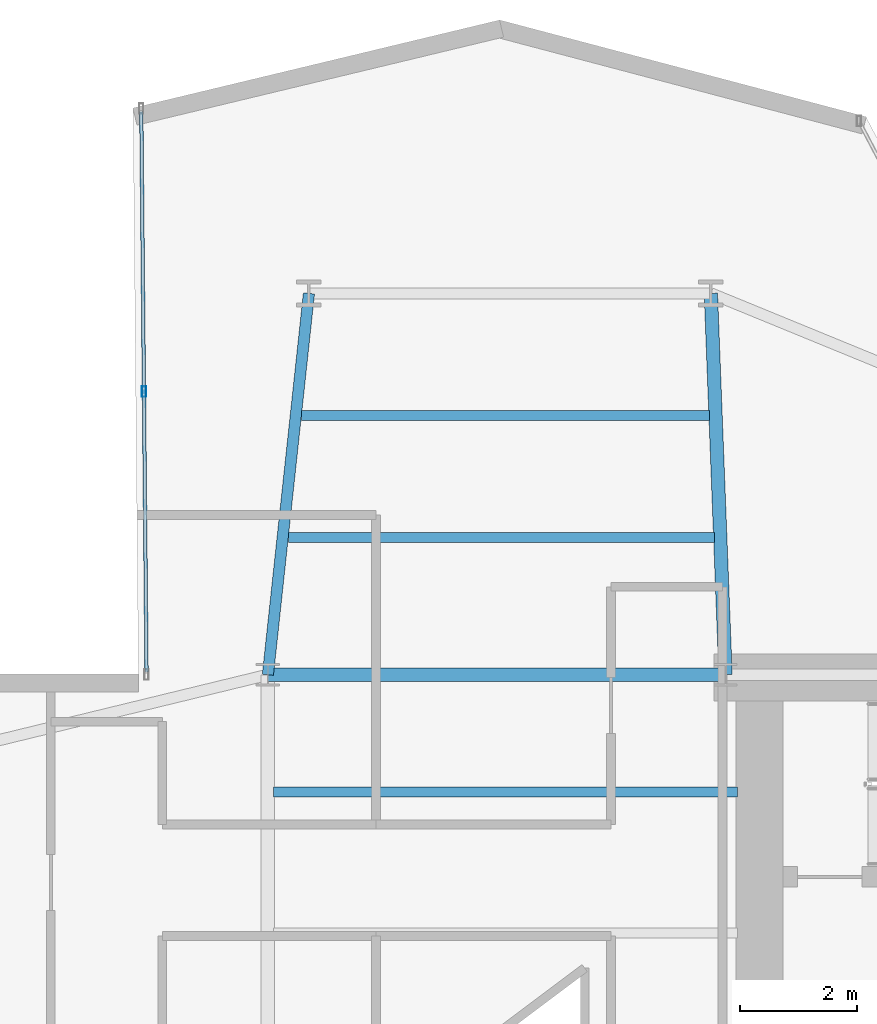
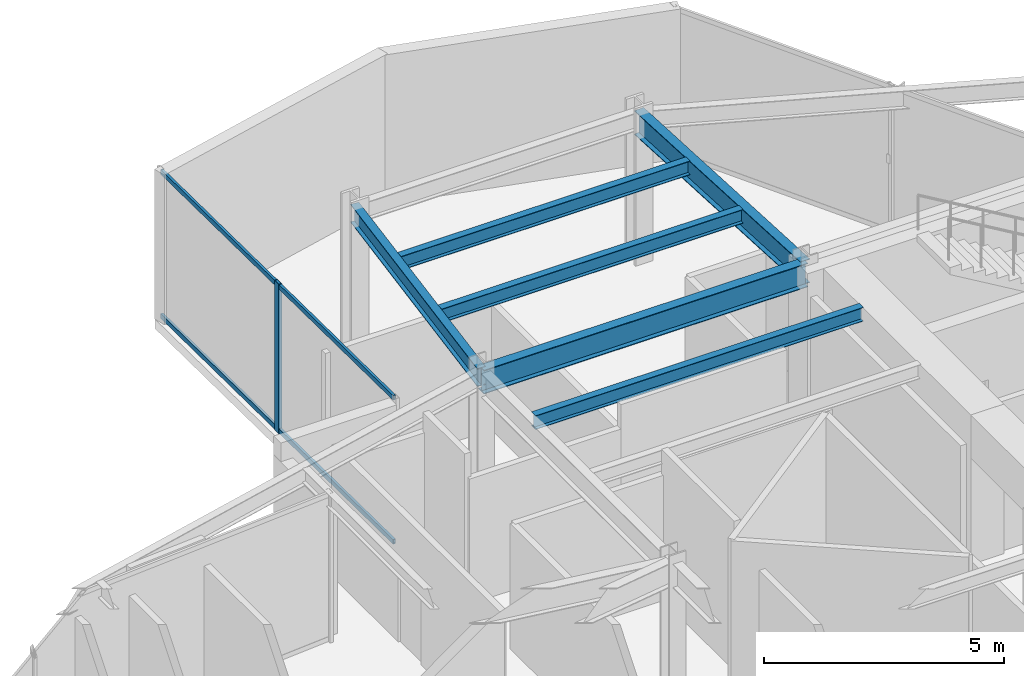
# One storey, part 11 of 25: 6 beams, 3 members, 1 element without a shape of its own.
"""IFC4 building model written with IfcOpenShell, lengths in metres."""

import ifcopenshell
import ifcopenshell.guid

model = None  # the IFC model being written
_history = None  # IfcOwnerHistory: only IFC2X3 demands one
_inside = {}  # id of a spatial element -> (the spatial element, [elements in it])
_under = {}  # id of a project, library or spatial element -> (it, [spatial elements below it])
_declared = {}  # id of a project -> (the project, [libraries it declares])
_typed = {}  # id of a type object -> (the type object, [elements of that type])
_made_of = {}  # id of a material, layer set ... -> (it, [elements and type objects made of it])


def new_model(schema):
    """Start an empty IFC model of exactly this schema.

    Asked for "IFC4X3", IfcOpenShell would pick the latest addendum, in which some entities
    have other attributes; the version numbers below select the first issue.
    IFC2X3 requires an IfcOwnerHistory on every rooted entity: one is made here for all.
    """
    global model, _history
    if schema == "IFC4X3":
        model = ifcopenshell.file(schema_version=(4, 3, 0, 0))
    else:
        model = ifcopenshell.file(schema=schema)
    _inside.clear()
    _under.clear()
    _declared.clear()
    _typed.clear()
    _made_of.clear()
    _history = None
    if model.schema == "IFC2X3":
        org = make("IfcOrganization", Name="unknown")
        user = make(
            "IfcPersonAndOrganization",
            ThePerson=make("IfcPerson", FamilyName="unknown"),
            TheOrganization=org,
        )
        app = make(
            "IfcApplication",
            ApplicationDeveloper=org,
            Version="unknown",
            ApplicationFullName="unknown",
            ApplicationIdentifier="unknown",
        )
        _history = make(
            "IfcOwnerHistory",
            OwningUser=user,
            OwningApplication=app,
            ChangeAction="ADDED",
            CreationDate=0,
        )
    return model


def make(cls, **values):
    """One entity of the class cls with the attributes given. An attribute that is None is left unset."""
    return model.create_entity(
        cls, **{name: value for name, value in values.items() if value is not None}
    )


def rooted(cls, **values):
    """An entity with a GlobalId (a new one), such as an element, a storey or a relation."""
    return make(cls, GlobalId=ifcopenshell.guid.new(), OwnerHistory=_history, **values)


def si_unit(unit_type, name, prefix=None):
    """IfcSIUnit, for example si_unit("LENGTHUNIT", "METRE", prefix="MILLI")."""
    return make("IfcSIUnit", UnitType=unit_type, Prefix=prefix, Name=name)


def assignment(units):
    """IfcUnitAssignment: the units of a project."""
    return None if units is None else make("IfcUnitAssignment", Units=units)


def point(xyz):
    """IfcCartesianPoint."""
    return None if xyz is None else make("IfcCartesianPoint", Coordinates=xyz)


def direction(xyz):
    """IfcDirection."""
    return None if xyz is None else make("IfcDirection", DirectionRatios=xyz)


def frame(location, z_axis=None, x_axis=None):
    """IfcAxis2Placement3D, a coordinate frame: its origin and axes. An axis left out is left unset."""
    return make(
        "IfcAxis2Placement3D",
        Location=point(location),
        Axis=direction(z_axis),
        RefDirection=direction(x_axis),
    )


def frame_2d(location, x_axis=None):
    """IfcAxis2Placement2D, a coordinate frame in the plane: its origin and x axis."""
    return make(
        "IfcAxis2Placement2D", Location=point(location), RefDirection=direction(x_axis)
    )


def origin():
    """The frame at (0, 0, 0) with its axes left unset."""
    return frame((0.0, 0.0, 0.0))


def origin_2d():
    """The frame at (0, 0) in the plane with its x axis left unset."""
    return frame_2d((0.0, 0.0))


def place(relative_to, where):
    """IfcLocalPlacement: puts the frame where relative to a parent placement (None: the world)."""
    return make(
        "IfcLocalPlacement", PlacementRelTo=relative_to, RelativePlacement=where
    )


def context(
    kind, dimensions, precision=None, world=None, true_north=None, identifier=None
):
    """IfcGeometricRepresentationContext, for example the 3D "Model" context."""
    return make(
        "IfcGeometricRepresentationContext",
        ContextIdentifier=identifier,
        ContextType=kind,
        CoordinateSpaceDimension=dimensions,
        Precision=precision,
        WorldCoordinateSystem=world,
        TrueNorth=true_north,
    )


def subcontext(parent, identifier, kind, view, scale=None):
    """IfcGeometricRepresentationSubContext, for example "Body" below "Model"."""
    return make(
        "IfcGeometricRepresentationSubContext",
        ContextIdentifier=identifier,
        ContextType=kind,
        ParentContext=parent,
        TargetScale=scale,
        TargetView=view,
    )


def project(units=None, contexts=None):
    """IfcProject with its units and contexts."""
    return rooted(
        "IfcProject",
        Name="project",
        RepresentationContexts=contexts,
        UnitsInContext=assignment(units),
    )


def spatial(cls, under=None, at=None, **own):
    """A site, building, storey or space (cls), placed at a placement, below another one or the project."""
    s = rooted(cls, ObjectPlacement=at, **own)
    if under is not None:
        _under.setdefault(under.id(), (under, []))[1].append(s)
    return s


def profile(cls, at=None, kind="AREA", **sizes):
    """A parametric profile (cls). Its sizes go by their IFC names, for example OverallWidth=200.0."""
    return make(cls, ProfileType=kind, Position=at, **sizes)


def hollow_rectangle(**sizes):
    """IfcRectangleHollowProfileDef."""
    return profile("IfcRectangleHollowProfileDef", **sizes)


def i_section(**sizes):
    """IfcIShapeProfileDef."""
    return profile("IfcIShapeProfileDef", **sizes)


def extrude(swept, where, along, depth):
    """IfcExtrudedAreaSolid: the profile swept, set in the frame where, extruded along a direction by depth."""
    return make(
        "IfcExtrudedAreaSolid",
        SweptArea=swept,
        Position=where,
        ExtrudedDirection=direction(along),
        Depth=depth,
    )


def shape(context_of_items, identifier, shape_type, items):
    """IfcShapeRepresentation: the items that make up one representation, for example the "Body"."""
    return make(
        "IfcShapeRepresentation",
        ContextOfItems=context_of_items,
        RepresentationIdentifier=identifier,
        RepresentationType=shape_type,
        Items=items,
    )


def material(Name=None, Category=None):
    """IfcMaterial."""
    return make("IfcMaterial", Name=Name, Category=Category)


def layer(
    of_material, thickness, ventilated=None, Name=None, Category=None, Priority=None
):
    """IfcMaterialLayer: one layer of a wall or slab, of a material (None: an air gap)."""
    return make(
        "IfcMaterialLayer",
        Material=of_material,
        LayerThickness=thickness,
        IsVentilated=ventilated,
        Name=Name,
        Category=Category,
        Priority=Priority,
    )


def layer_set(layers, Name=None):
    """IfcMaterialLayerSet."""
    return make("IfcMaterialLayerSet", MaterialLayers=layers, LayerSetName=Name)


def material_profile(
    of_material, cross_section, Name=None, Category=None, Priority=None
):
    """IfcMaterialProfile: a cross section and its material."""
    return make(
        "IfcMaterialProfile",
        Name=Name,
        Material=of_material,
        Profile=cross_section,
        Priority=Priority,
        Category=Category,
    )


def profile_set(profiles, Name=None, composite=None):
    """IfcMaterialProfileSet."""
    return make(
        "IfcMaterialProfileSet",
        Name=Name,
        MaterialProfiles=profiles,
        CompositeProfile=composite,
    )


def made_of(thing, what):
    """Note that an element or type object is made of a material, layer set ...; save() writes the relation."""
    if what is not None:
        _made_of.setdefault(what.id(), (what, []))[1].append(thing)
    return thing


def type_object(cls, material=None, **own):
    """A type object (cls), such as IfcWallType, which elements share."""
    return made_of(rooted(cls, **own), material)


def element(
    cls,
    number,
    at=None,
    inside=None,
    cuts=None,
    type_object=None,
    material=None,
    context=None,
    identifier="Body",
    shape_type=None,
    held_by="IfcProductDefinitionShape",
    body=None,
    shapes=None,
    **own,
):
    """One element of the class cls, such as IfcWall. Its Tag is "e" and its number.

    at: its placement. inside: the storey or other place that contains it. cuts: it is an
    opening in that element (IfcRelVoidsElement). A single representation is given by context,
    identifier, shape_type and body (its items); several are given by shapes. held_by: the class
    of the entity that holds the representations. save() writes the other relations.
    """
    e = rooted(cls, Tag="e%d" % number, ObjectPlacement=at, **own)
    if body is not None:
        shapes = [shape(context, identifier, shape_type, body)]
    if shapes is not None:
        e.Representation = make(held_by, Representations=shapes)
    if inside is not None:
        _inside.setdefault(inside.id(), (inside, []))[1].append(e)
    if cuts is not None:
        rooted(
            "IfcRelVoidsElement", RelatingBuildingElement=cuts, RelatedOpeningElement=e
        )
    if type_object is not None:
        _typed.setdefault(type_object.id(), (type_object, []))[1].append(e)
    return made_of(e, material)


def aggregate(whole, parts):
    """IfcRelAggregates: a whole, such as a stair, and the parts it consists of."""
    return rooted("IfcRelAggregates", RelatingObject=whole, RelatedObjects=parts)


def save(model, path):
    """Write the relations noted so far, then the file.

    IfcRelAggregates (storeys below a building ...), IfcRelContainedInSpatialStructure (elements
    in a storey), IfcRelDefinesByType, IfcRelAssociatesMaterial and IfcRelDeclares: one each for
    every whole, place, type object, material and project.
    """
    for whole, parts in _under.values():
        aggregate(whole, parts)
    for where, things in _inside.values():
        rooted(
            "IfcRelContainedInSpatialStructure",
            RelatedElements=things,
            RelatingStructure=where,
        )
    for kind, things in _typed.values():
        rooted("IfcRelDefinesByType", RelatedObjects=things, RelatingType=kind)
    for what, things in _made_of.values():
        rooted("IfcRelAssociatesMaterial", RelatedObjects=things, RelatingMaterial=what)
    for by, libraries in _declared.values():
        rooted("IfcRelDeclares", RelatingContext=by, RelatedDefinitions=libraries)
    model.write(path)


model = new_model("IFC4")

# Units and contexts
model_context = context("Model", 3, precision=1e-05, world=origin(), true_north=direction((0.0, 1.0)))
body_context = subcontext(model_context, "Body", "Model", "MODEL_VIEW")
ifc_project = project(units=[si_unit("LENGTHUNIT", "METRE"), si_unit("AREAUNIT", "SQUARE_METRE"), si_unit("VOLUMEUNIT", "CUBIC_METRE"), si_unit("PLANEANGLEUNIT", "RADIAN"), si_unit("MASSUNIT", "GRAM", prefix="KILO")], contexts=[model_context])

# Site, building, storey
site_placement = place(None, origin())
site = spatial("IfcSite", under=ifc_project, at=site_placement, CompositionType="ELEMENT")
building_placement = place(site_placement, origin())
building = spatial("IfcBuilding", under=site, at=building_placement, Name="Veymaron Broadcast Tower", CompositionType="ELEMENT")
storey_placement = place(building_placement, frame((0.0, 0.0, 141.14990234375)))
storey = spatial("IfcBuildingStorey", under=building, at=storey_placement, Name="L32", CompositionType="ELEMENT", Elevation=141.14990234375)

# Beams
ifc_material_1 = material(Name="Structural steel ASTM A992 Gr 50", Category="steel")
ifc_material_profile_1 = material_profile(ifc_material_1, i_section(OverallWidth=0.22802734375, OverallDepth=0.60791015625, WebThickness=0.01123046875, FlangeThickness=0.017333984375, at=origin_2d()), Name="W610X113")
ifc_profile_set_1 = profile_set([ifc_material_profile_1], Name="Structural steel ASTM A992 Gr 50")
beam_type_1 = type_object("IfcBeamType", Name="BM-FG2", PredefinedType="BEAM", material=ifc_profile_set_1)
beam_1_placement = place(storey_placement, frame((31.199951171875, 32.0, 3.506103515625), z_axis=(1.0, 0.0, 0.0), x_axis=(0.0, 1.0, 0.0)))
element("IfcBeam", 1, at=beam_1_placement, inside=storey, type_object=beam_type_1, Name="L32 primary structural floor girder", PredefinedType="BEAM", context=body_context, shape_type="SweptSolid", body=[
    extrude(i_section(OverallWidth=0.22802734375, OverallDepth=0.60791015625, WebThickness=0.01123046875, FlangeThickness=0.017333984375, at=origin_2d()), origin(), (0.0, 0.0, 1.0), 7.800048828125),
])
beam_2_placement = place(storey_placement, frame((39.0, 32.0, 3.506103515625), z_axis=(-0.038433122101, 0.999261174631, 0.0), x_axis=(-0.999261174631, -0.038433122101, 0.0)))
element("IfcBeam", 2, at=beam_2_placement, inside=storey, type_object=beam_type_1, Name="L32 primary structural floor girder", PredefinedType="BEAM", context=body_context, shape_type="SweptSolid", body=[
    extrude(i_section(OverallWidth=0.22802734375, OverallDepth=0.60791015625, WebThickness=0.01123046875, FlangeThickness=0.017333984375, at=origin_2d()), origin(), (0.0, 0.0, 1.0), 6.5048828125),
])
ifc_material_profile_2 = material_profile(ifc_material_1, i_section(OverallWidth=0.1708984375, OverallDepth=0.35498046875, WebThickness=0.007080078125, FlangeThickness=0.01171875, at=origin_2d()), Name="W360X51")
ifc_profile_set_2 = profile_set([ifc_material_profile_2], Name="Structural steel ASTM A992 Gr 50")
beam_type_2 = type_object("IfcBeamType", Name="BM-JS2", PredefinedType="JOIST", material=ifc_profile_set_2)
beam_3_placement = place(storey_placement, frame((31.552001953125, 34.340087890625, 3.632568359375), z_axis=(1.0, 0.0, 0.0), x_axis=(0.0, 1.0, 0.0)))
element("IfcBeam", 3, at=beam_3_placement, inside=storey, type_object=beam_type_2, Name="L32 Arm-B secondary joist 1", PredefinedType="JOIST", context=body_context, shape_type="SweptSolid", body=[
    extrude(i_section(OverallWidth=0.1708984375, OverallDepth=0.35498046875, WebThickness=0.007080078125, FlangeThickness=0.01171875, at=origin_2d()), origin(), (0.0, 0.0, 1.0), 7.258056640625),
])
beam_4_placement = place(storey_placement, frame((31.77587890625, 36.419921875, 3.632568359375), z_axis=(1.0, 0.0, 0.0), x_axis=(0.0, 1.0, 0.0)))
element("IfcBeam", 4, at=beam_4_placement, inside=storey, type_object=beam_type_2, Name="L32 Arm-B secondary joist 2", PredefinedType="JOIST", context=body_context, shape_type="SweptSolid", body=[
    extrude(i_section(OverallWidth=0.1708984375, OverallDepth=0.35498046875, WebThickness=0.007080078125, FlangeThickness=0.01171875, at=origin_2d()), origin(), (0.0, 0.0, 1.0), 6.9541015625),
])
beam_5_placement = place(storey_placement, frame((31.300048828125, 30.0, 3.632568359375), z_axis=(1.0, 0.0, 0.0), x_axis=(0.0, 1.0, 0.0)))
element("IfcBeam", 5, at=beam_5_placement, inside=storey, type_object=beam_type_2, Name="L32 Hub secondary joist 4", PredefinedType="JOIST", context=body_context, shape_type="SweptSolid", body=[
    extrude(i_section(OverallWidth=0.1708984375, OverallDepth=0.35498046875, WebThickness=0.007080078125, FlangeThickness=0.01171875, at=origin_2d()), origin(), (0.0, 0.0, 1.0), 7.89990234375),
])
ifc_material_profile_3 = material_profile(ifc_material_1, i_section(OverallWidth=0.19091796875, OverallDepth=0.4599609375, WebThickness=0.010009765625, FlangeThickness=0.01611328125, at=origin_2d()), Name="W460X82")
ifc_profile_set_3 = profile_set([ifc_material_profile_3], Name="Structural steel ASTM A992 Gr 50")
beam_type_3 = type_object("IfcBeamType", Name="BM-SP1", PredefinedType="SPANDREL", material=ifc_profile_set_3)
beam_6_placement = place(storey_placement, frame((31.199951171875, 32.0, 3.580078125), z_axis=(0.107065816505, 0.994251935344, 0.0), x_axis=(-0.994251935344, 0.107065816505, 0.0)))
element("IfcBeam", 6, at=beam_6_placement, inside=storey, type_object=beam_type_3, Name="L32 primary structural floor girder", PredefinedType="SPANDREL", context=body_context, shape_type="SweptSolid", body=[
    extrude(i_section(OverallWidth=0.19091796875, OverallDepth=0.4599609375, WebThickness=0.010009765625, FlangeThickness=0.01611328125, at=origin_2d()), origin(), (0.0, 0.0, 1.0), 6.53759765625),
])

# Curtain wall, members
ifc_material_2 = material(Name="Anodised aluminium AA 6063-T6 and laminated low-E dark glass", Category="aluminium")
ifc_layer = layer(ifc_material_2, 0.179931640625)
ifc_layer_set = layer_set([ifc_layer], Name="Anodised aluminium AA 6063-T6 and laminated low-E dark glass")
curtain_wall_type = type_object("IfcCurtainWallType", Name="CW-SYS-03", PredefinedType="NOTDEFINED", material=ifc_layer_set)
curtain_wall_placement = place(storey_placement, origin())
curtain_wall = element("IfcCurtainWall", 7, at=curtain_wall_placement, inside=storey, type_object=curtain_wall_type, Name="L32 dark-glass curtain wall CW-L32-E8-1", PredefinedType="NOTDEFINED")
ifc_material_3 = material(Name="Anodised aluminium AA 6063-T6", Category="aluminium")
ifc_material_profile_4 = material_profile(ifc_material_3, hollow_rectangle(XDim=0.074951171875, YDim=0.179931640625, WallThickness=0.0048828125, at=origin_2d()), Name="AL180X75X5")
ifc_profile_set_4 = profile_set([ifc_material_profile_4], Name="Anodised aluminium AA 6063-T6")
member_type_1 = type_object("IfcMemberType", Name="CW-MUL-02", PredefinedType="MULLION", material=ifc_profile_set_4)
member_1_placement = place(storey_placement, frame((29.08740234375, 36.826416015625, 0.0), z_axis=(0.0, 0.0, 1.0), x_axis=(1.0, 0.0, 0.0)))
member_1 = element("IfcMember", 8, at=member_1_placement, type_object=member_type_1, Name="CW-L32-E8-1 mullion 1", PredefinedType="MULLION", context=body_context, shape_type="SweptSolid", body=[
    extrude(hollow_rectangle(XDim=0.074951171875, YDim=0.179931640625, WallThickness=0.0048828125, at=origin_2d()), origin(), (0.0, 0.0, 1.0), 3.81005859375),
])
ifc_material_profile_5 = material_profile(ifc_material_3, hollow_rectangle(XDim=0.06005859375, YDim=0.1201171875, WallThickness=0.00390625, at=origin_2d()), Name="AL120X60X4")
ifc_profile_set_5 = profile_set([ifc_material_profile_5], Name="Anodised aluminium AA 6063-T6")
member_type_2 = type_object("IfcMemberType", Name="CW-TRN-02", PredefinedType="USERDEFINED", material=ifc_profile_set_5)
member_2_placement = place(storey_placement, frame((29.042724609375, 41.601318359375, 0.070068359375), z_axis=(0.009356136215, -0.9999562304, 0.0), x_axis=(0.9999562304, 0.009356136215, 0.0)))
member_2 = element("IfcMember", 9, at=member_2_placement, type_object=member_type_2, Name="CW-L32-E8-1 transom B", ObjectType="TRANSOM", PredefinedType="USERDEFINED", context=body_context, shape_type="SweptSolid", body=[
    extrude(hollow_rectangle(XDim=0.06005859375, YDim=0.1201171875, WallThickness=0.00390625, at=origin_2d()), origin(), (0.0, 0.0, 1.0), 9.550537109375),
])
member_3_placement = place(storey_placement, frame((29.042724609375, 41.601318359375, 3.739990234375), z_axis=(0.009356136215, -0.9999562304, 0.0), x_axis=(0.9999562304, 0.009356136215, 0.0)))
member_3 = element("IfcMember", 10, at=member_3_placement, type_object=member_type_2, Name="CW-L32-E8-1 transom T", ObjectType="TRANSOM", PredefinedType="USERDEFINED", context=body_context, shape_type="SweptSolid", body=[
    extrude(hollow_rectangle(XDim=0.06005859375, YDim=0.1201171875, WallThickness=0.00390625, at=origin_2d()), origin(), (0.0, 0.0, 1.0), 9.550537109375),
])
aggregate(curtain_wall, [member_1, member_2, member_3])

save(model, "model.ifc")
